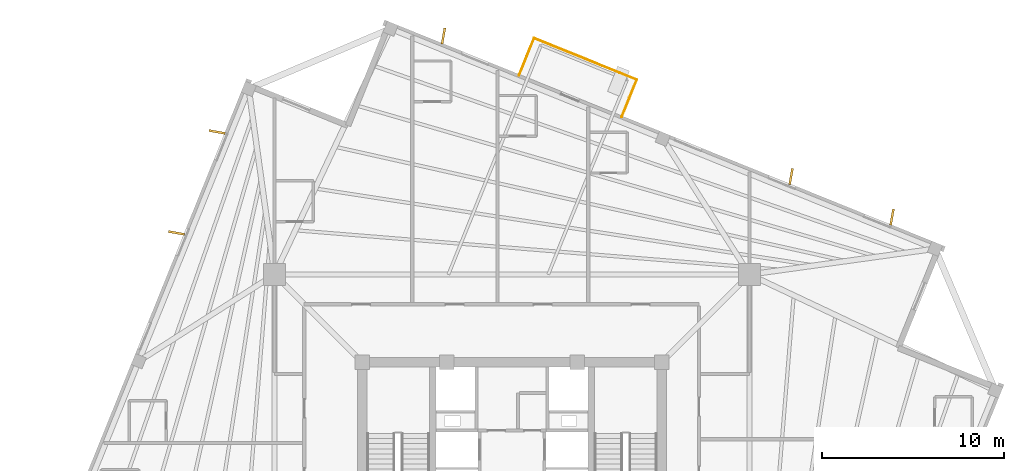
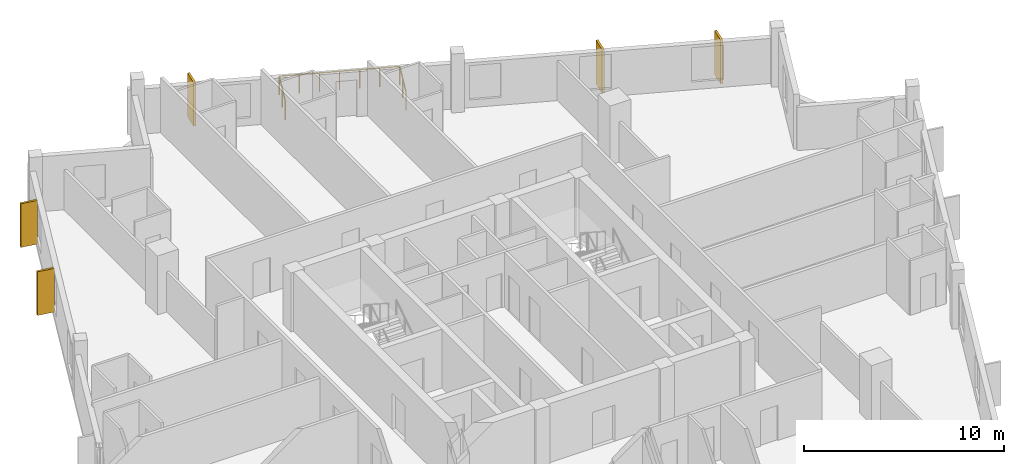
# One storey, part 9 of 9: 5 coverings, 3 railings.
"""IFC4 building model written with IfcOpenShell, lengths in metres."""

from ifc_helpers import new_model, si_unit, direction, frame, origin, origin_2d, place, context, subcontext, project, spatial, rectangle, circle, extrude, source, transform, mapped, material, layer, layer_set, type_object, element, save


model = new_model("IFC4")

# Units and contexts
model_context = context("Model", 3, precision=1e-05, world=origin(), true_north=direction((0.0, 1.0)))
body_context = subcontext(model_context, "Body", "Model", "MODEL_VIEW")
ifc_project = project(units=[si_unit("LENGTHUNIT", "METRE"), si_unit("AREAUNIT", "SQUARE_METRE"), si_unit("VOLUMEUNIT", "CUBIC_METRE"), si_unit("PLANEANGLEUNIT", "RADIAN"), si_unit("MASSUNIT", "GRAM", prefix="KILO"), si_unit("THERMODYNAMICTEMPERATUREUNIT", "KELVIN")], contexts=[model_context])

# Site, building, storey
site_placement = place(None, origin())
site = spatial("IfcSite", under=ifc_project, at=site_placement, CompositionType="ELEMENT")
building_placement = place(site_placement, origin())
building = spatial("IfcBuilding", under=site, at=building_placement, Name="Kosmvard Interchange Tower", CompositionType="ELEMENT")
storey_placement = place(building_placement, frame((0.0, 0.0, 276.0)))
storey = spatial("IfcBuildingStorey", under=building, at=storey_placement, Name="L67", CompositionType="ELEMENT", Elevation=276.0)

# Coverings
ifc_material_1 = material(Name="Architectural anodised aluminium", Category="aluminium")
ifc_layer = layer(ifc_material_1, 0.1201171875, Name="Architectural anodised aluminium")
ifc_layer_set = layer_set([ifc_layer], Name="Architectural anodised aluminium")
covering_type = type_object("IfcCoveringType", Name="Rotating Vertical Sun-Breaker Fin 900x120 Aluminium", PredefinedType="CLADDING", material=ifc_layer_set)
shared_shape_1 = source(origin(), body_context, "Body", "SweptSolid", [
    extrude(rectangle(XDim=0.89990234375, YDim=0.1201171875, at=origin_2d()), origin(), (0.0, 0.0, 1.0), 2.669921875),
])
for number, where, z_axis, x_axis, name in (
    (1, (20.932373046875, 16.2412109375, 0.0400390625), (0.0, 0.0, 1.0), (0.174679370533, 0.984625369118, 0.0), "L67 Rotating Vertical Sun-Breaker Fin 05"),
    (2, (15.373046875, 18.4873046875, 0.0400390625), (0.0, 0.0, 1.0), (0.174679370533, 0.984625369118, 0.0), "L67 Rotating Vertical Sun-Breaker Fin 06"),
    (3, (-3.775390625, 26.223876953125, 0.0400390625), (0.0, 0.0, 1.0), (0.174679370533, 0.984625369118, 0.0), "L67 Rotating Vertical Sun-Breaker Fin 07"),
    (4, (-16.2412109375, 20.932373046875, 0.0400390625), (0.0, 0.0, 1.0), (-0.984625369118, 0.174679370533, 0.0), "L67 Rotating Vertical Sun-Breaker Fin 08"),
    (5, (-18.4873046875, 15.373046875, 0.0400390625), (0.0, 0.0, 1.0), (-0.984625369118, 0.174679370533, 0.0), "L67 Rotating Vertical Sun-Breaker Fin 09"),
):
    element("IfcCovering", number, at=place(storey_placement, frame(where, z_axis=z_axis, x_axis=x_axis)), inside=storey, type_object=covering_type, Name=name, PredefinedType="CLADDING", context=body_context, shape_type="MappedRepresentation", body=[
        mapped(shared_shape_1, transform((0.0, 0.0, 0.0), scale=1.0)),
    ])

# Railings
ifc_material_2 = material(Name="Steel S355", Category="steel")
railing_type = type_object("IfcRailingType", Name="Observation & Balcony Glass-Infill Balustrade 1150", PredefinedType="BALUSTRADE", material=ifc_material_2)
shared_shape_2 = source(origin(), body_context, "Body", "SweptSolid", [
    extrude(circle(Radius=0.02392578125, at=origin_2d()), frame((0.0, 0.0, 1.1259765625), z_axis=(0.374545618852, 0.927208487558, 0.0), x_axis=(-0.927208487558, 0.374545618852, 0.0)), (0.0, 0.0, 1.0), 2.199951171875),
    extrude(circle(Radius=0.02099609375, at=origin_2d()), origin(), (0.0, 0.0, 1.0), 1.101806640625),
    extrude(circle(Radius=0.02099609375, at=origin_2d()), frame((0.412109375, 1.02001953125, 0.0)), (0.0, 0.0, 1.0), 1.101806640625),
    extrude(circle(Radius=0.02099609375, at=origin_2d()), frame((0.823974609375, 2.039794921875, 0.0)), (0.0, 0.0, 1.0), 1.101806640625),
])
railing_1_placement = place(storey_placement, frame((6.045654296875, 21.7705078125, 0.0)))
element("IfcRailing", 6, at=railing_1_placement, inside=storey, type_object=railing_type, Name="L67 Outdoor Terrace Guard BAL-L67-E-A", PredefinedType="BALUSTRADE", context=body_context, shape_type="MappedRepresentation", body=[
    mapped(shared_shape_2, transform((0.0, 0.0, 0.0), scale=1.0)),
])
shared_shape_3 = source(origin(), body_context, "Body", "SweptSolid", [
    extrude(circle(Radius=0.02392578125, at=origin_2d()), frame((0.0, 0.0, 1.1259765625), z_axis=(-0.927179288599, 0.374617894384, 0.0), x_axis=(-0.374617894384, -0.927179288599, 0.0)), (0.0, 0.0, 1.0), 6.099853515625),
    extrude(circle(Radius=0.02099609375, at=origin_2d()), origin(), (0.0, 0.0, 1.0), 1.101806640625),
    extrude(circle(Radius=0.02099609375, at=origin_2d()), frame((-0.942626953125, 0.380859375, 0.0)), (0.0, 0.0, 1.0), 1.101806640625),
    extrude(circle(Radius=0.02099609375, at=origin_2d()), frame((-1.88525390625, 0.76171875, 0.0)), (0.0, 0.0, 1.0), 1.101806640625),
    extrude(circle(Radius=0.02099609375, at=origin_2d()), frame((-2.827880859375, 1.142578125, 0.0)), (0.0, 0.0, 1.0), 1.101806640625),
    extrude(circle(Radius=0.02099609375, at=origin_2d()), frame((-3.7705078125, 1.5234375, 0.0)), (0.0, 0.0, 1.0), 1.101806640625),
    extrude(circle(Radius=0.02099609375, at=origin_2d()), frame((-4.713134765625, 1.904296875, 0.0)), (0.0, 0.0, 1.0), 1.101806640625),
    extrude(circle(Radius=0.02099609375, at=origin_2d()), frame((-5.65576171875, 2.28515625, 0.0)), (0.0, 0.0, 1.0), 1.101806640625),
])
railing_2_placement = place(storey_placement, frame((6.86962890625, 23.810302734375, 0.0)))
element("IfcRailing", 7, at=railing_2_placement, inside=storey, type_object=railing_type, Name="L67 Outdoor Terrace Guard BAL-L67-E-B", PredefinedType="BALUSTRADE", context=body_context, shape_type="MappedRepresentation", body=[
    mapped(shared_shape_3, transform((0.0, 0.0, 0.0), scale=1.0)),
])
shared_shape_4 = source(origin(), body_context, "Body", "SweptSolid", [
    extrude(circle(Radius=0.02392578125, at=origin_2d()), frame((0.0, 0.0, 1.1259765625), z_axis=(-0.374545618852, -0.927208487558, 0.0), x_axis=(0.927208487558, -0.374545618852, 0.0)), (0.0, 0.0, 1.0), 2.199951171875),
    extrude(circle(Radius=0.02099609375, at=origin_2d()), origin(), (0.0, 0.0, 1.0), 1.101806640625),
    extrude(circle(Radius=0.02099609375, at=origin_2d()), frame((-0.412109375, -1.02001953125, 0.0)), (0.0, 0.0, 1.0), 1.101806640625),
    extrude(circle(Radius=0.02099609375, at=origin_2d()), frame((-0.823974609375, -2.039794921875, 0.0)), (0.0, 0.0, 1.0), 1.101806640625),
])
railing_3_placement = place(storey_placement, frame((1.2138671875, 26.095458984375, 0.0)))
element("IfcRailing", 8, at=railing_3_placement, inside=storey, type_object=railing_type, Name="L67 Outdoor Terrace Guard BAL-L67-E-C", PredefinedType="BALUSTRADE", context=body_context, shape_type="MappedRepresentation", body=[
    mapped(shared_shape_4, transform((0.0, 0.0, 0.0), scale=1.0)),
])

save(model, "model.ifc")
